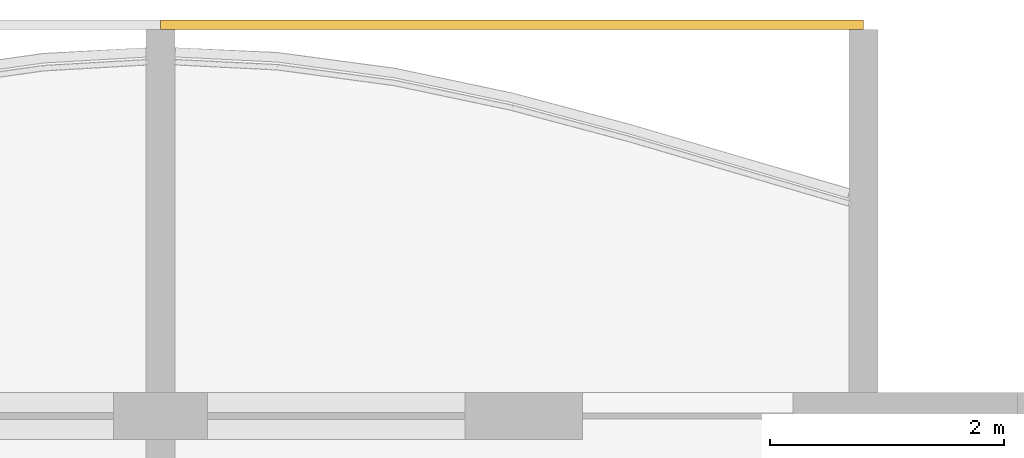
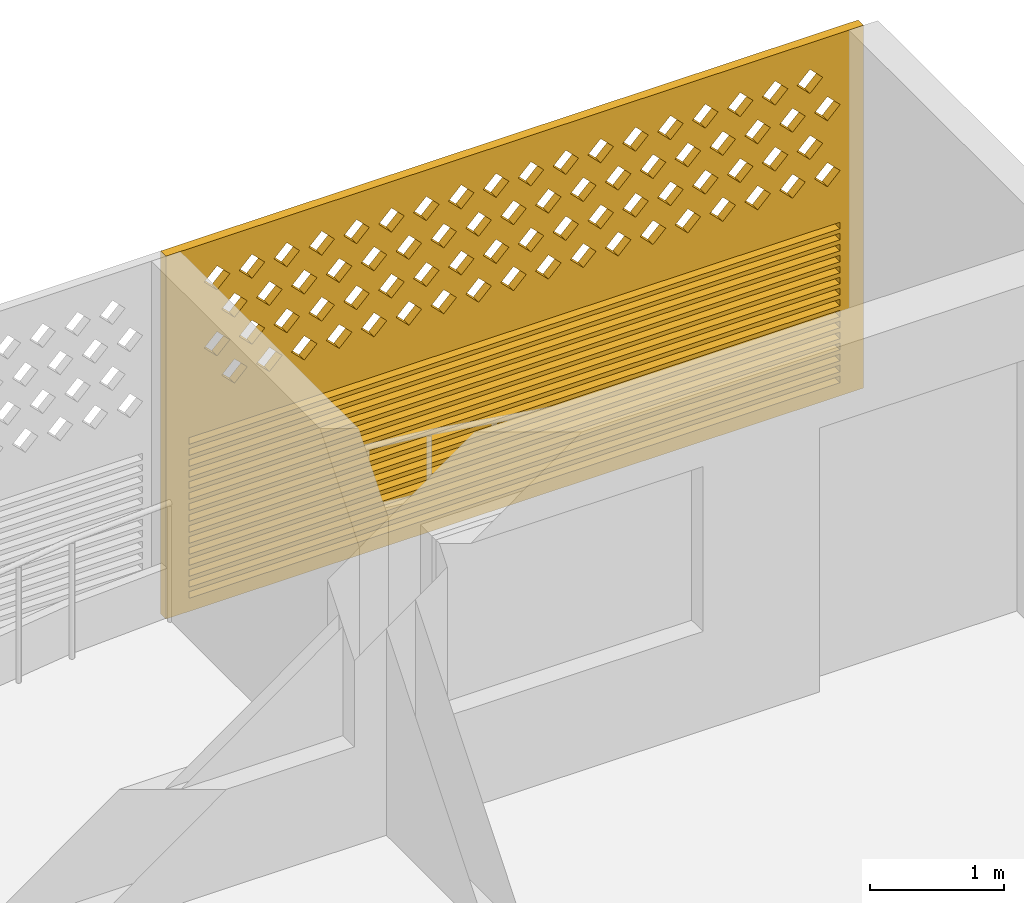
# One storey, part 28 of 28: 1 covering.
"""IFC4 building model written with IfcOpenShell, lengths in metres."""

from ifc_helpers import new_model, si_unit, direction, frame, origin, place, context, subcontext, project, spatial, polyline, outline, extrude, source, transform, mapped, material, material_profile, profile_set, type_object, element, save


model = new_model("IFC4")

# Units and contexts
model_context = context("Model", 3, precision=1e-05, world=origin(), true_north=direction((0.0, 1.0)))
body_context = subcontext(model_context, "Body", "Model", "MODEL_VIEW")
ifc_project = project(units=[si_unit("LENGTHUNIT", "METRE"), si_unit("AREAUNIT", "SQUARE_METRE"), si_unit("VOLUMEUNIT", "CUBIC_METRE"), si_unit("PLANEANGLEUNIT", "RADIAN"), si_unit("MASSUNIT", "GRAM", prefix="KILO")], contexts=[model_context])

# Site, building, storey
site_placement = place(None, origin())
site = spatial("IfcSite", under=ifc_project, at=site_placement, CompositionType="ELEMENT")
building_placement = place(site_placement, origin())
building = spatial("IfcBuilding", under=site, at=building_placement, Name="Poui Terraces", CompositionType="ELEMENT")
storey_placement = place(building_placement, frame((0.0, 0.0, 185.10009765625)))
storey = spatial("IfcBuildingStorey", under=building, at=storey_placement, Name="L51", CompositionType="ELEMENT", Elevation=185.10009765625)

# Covering
ifc_material = material(Name="Terracotta screen", Category="masonry")
ifc_material_profile = material_profile(ifc_material, outline(polyline([(-3.0, -1.64990234375), (3.0, -1.64990234375), (3.0, 1.64990234375), (-3.0, 1.64990234375), (-3.0, -1.64990234375)]), holes=[polyline([(-2.800048828125, 0.39990234375), (-2.68994140625, 0.2900390625), (-2.580078125, 0.39990234375), (-2.68994140625, 0.510009765625), (-2.800048828125, 0.39990234375)]), polyline([(-2.5, 0.39990234375), (-2.389892578125, 0.2900390625), (-2.280029296875, 0.39990234375), (-2.389892578125, 0.510009765625), (-2.5, 0.39990234375)]), polyline([(-2.199951171875, 0.39990234375), (-2.090087890625, 0.2900390625), (-1.97998046875, 0.39990234375), (-2.090087890625, 0.510009765625), (-2.199951171875, 0.39990234375)]), polyline([(-1.89990234375, 0.39990234375), (-1.7900390625, 0.2900390625), (-1.679931640625, 0.39990234375), (-1.7900390625, 0.510009765625), (-1.89990234375, 0.39990234375)]), polyline([(-1.60009765625, 0.39990234375), (-1.489990234375, 0.2900390625), (-1.3798828125, 0.39990234375), (-1.489990234375, 0.510009765625), (-1.60009765625, 0.39990234375)]), polyline([(-1.300048828125, 0.39990234375), (-1.18994140625, 0.2900390625), (-1.080078125, 0.39990234375), (-1.18994140625, 0.510009765625), (-1.300048828125, 0.39990234375)]), polyline([(-1.0, 0.39990234375), (-0.889892578125, 0.2900390625), (-0.780029296875, 0.39990234375), (-0.889892578125, 0.510009765625), (-1.0, 0.39990234375)]), polyline([(-0.699951171875, 0.39990234375), (-0.590087890625, 0.2900390625), (-0.47998046875, 0.39990234375), (-0.590087890625, 0.510009765625), (-0.699951171875, 0.39990234375)]), polyline([(-0.39990234375, 0.39990234375), (-0.2900390625, 0.2900390625), (-0.179931640625, 0.39990234375), (-0.2900390625, 0.510009765625), (-0.39990234375, 0.39990234375)]), polyline([(-0.10009765625, 0.39990234375), (0.010009765625, 0.2900390625), (0.1201171875, 0.39990234375), (0.010009765625, 0.510009765625), (-0.10009765625, 0.39990234375)]), polyline([(0.199951171875, 0.39990234375), (0.31005859375, 0.2900390625), (0.419921875, 0.39990234375), (0.31005859375, 0.510009765625), (0.199951171875, 0.39990234375)]), polyline([(0.5, 0.39990234375), (0.610107421875, 0.2900390625), (0.719970703125, 0.39990234375), (0.610107421875, 0.510009765625), (0.5, 0.39990234375)]), polyline([(0.800048828125, 0.39990234375), (0.909912109375, 0.2900390625), (1.02001953125, 0.39990234375), (0.909912109375, 0.510009765625), (0.800048828125, 0.39990234375)]), polyline([(1.10009765625, 0.39990234375), (1.2099609375, 0.2900390625), (1.320068359375, 0.39990234375), (1.2099609375, 0.510009765625), (1.10009765625, 0.39990234375)]), polyline([(1.39990234375, 0.39990234375), (1.510009765625, 0.2900390625), (1.6201171875, 0.39990234375), (1.510009765625, 0.510009765625), (1.39990234375, 0.39990234375)]), polyline([(1.699951171875, 0.39990234375), (1.81005859375, 0.2900390625), (1.919921875, 0.39990234375), (1.81005859375, 0.510009765625), (1.699951171875, 0.39990234375)]), polyline([(2.0, 0.39990234375), (2.110107421875, 0.2900390625), (2.219970703125, 0.39990234375), (2.110107421875, 0.510009765625), (2.0, 0.39990234375)]), polyline([(2.300048828125, 0.39990234375), (2.409912109375, 0.2900390625), (2.52001953125, 0.39990234375), (2.409912109375, 0.510009765625), (2.300048828125, 0.39990234375)]), polyline([(-2.64990234375, 0.699951171875), (-2.5400390625, 0.590087890625), (-2.429931640625, 0.699951171875), (-2.5400390625, 0.81005859375), (-2.64990234375, 0.699951171875)]), polyline([(-2.35009765625, 0.699951171875), (-2.239990234375, 0.590087890625), (-2.1298828125, 0.699951171875), (-2.239990234375, 0.81005859375), (-2.35009765625, 0.699951171875)]), polyline([(-2.050048828125, 0.699951171875), (-1.93994140625, 0.590087890625), (-1.830078125, 0.699951171875), (-1.93994140625, 0.81005859375), (-2.050048828125, 0.699951171875)]), polyline([(-1.75, 0.699951171875), (-1.639892578125, 0.590087890625), (-1.530029296875, 0.699951171875), (-1.639892578125, 0.81005859375), (-1.75, 0.699951171875)]), polyline([(-1.449951171875, 0.699951171875), (-1.340087890625, 0.590087890625), (-1.22998046875, 0.699951171875), (-1.340087890625, 0.81005859375), (-1.449951171875, 0.699951171875)]), polyline([(-1.14990234375, 0.699951171875), (-1.0400390625, 0.590087890625), (-0.929931640625, 0.699951171875), (-1.0400390625, 0.81005859375), (-1.14990234375, 0.699951171875)]), polyline([(-0.85009765625, 0.699951171875), (-0.739990234375, 0.590087890625), (-0.6298828125, 0.699951171875), (-0.739990234375, 0.81005859375), (-0.85009765625, 0.699951171875)]), polyline([(-0.550048828125, 0.699951171875), (-0.43994140625, 0.590087890625), (-0.330078125, 0.699951171875), (-0.43994140625, 0.81005859375), (-0.550048828125, 0.699951171875)]), polyline([(-0.25, 0.699951171875), (-0.139892578125, 0.590087890625), (-0.030029296875, 0.699951171875), (-0.139892578125, 0.81005859375), (-0.25, 0.699951171875)]), polyline([(0.050048828125, 0.699951171875), (0.159912109375, 0.590087890625), (0.27001953125, 0.699951171875), (0.159912109375, 0.81005859375), (0.050048828125, 0.699951171875)]), polyline([(0.35009765625, 0.699951171875), (0.4599609375, 0.590087890625), (0.570068359375, 0.699951171875), (0.4599609375, 0.81005859375), (0.35009765625, 0.699951171875)]), polyline([(0.64990234375, 0.699951171875), (0.760009765625, 0.590087890625), (0.8701171875, 0.699951171875), (0.760009765625, 0.81005859375), (0.64990234375, 0.699951171875)]), polyline([(0.949951171875, 0.699951171875), (1.06005859375, 0.590087890625), (1.169921875, 0.699951171875), (1.06005859375, 0.81005859375), (0.949951171875, 0.699951171875)]), polyline([(1.25, 0.699951171875), (1.360107421875, 0.590087890625), (1.469970703125, 0.699951171875), (1.360107421875, 0.81005859375), (1.25, 0.699951171875)]), polyline([(1.550048828125, 0.699951171875), (1.659912109375, 0.590087890625), (1.77001953125, 0.699951171875), (1.659912109375, 0.81005859375), (1.550048828125, 0.699951171875)]), polyline([(1.85009765625, 0.699951171875), (1.9599609375, 0.590087890625), (2.070068359375, 0.699951171875), (1.9599609375, 0.81005859375), (1.85009765625, 0.699951171875)]), polyline([(2.14990234375, 0.699951171875), (2.260009765625, 0.590087890625), (2.3701171875, 0.699951171875), (2.260009765625, 0.81005859375), (2.14990234375, 0.699951171875)]), polyline([(2.449951171875, 0.699951171875), (2.56005859375, 0.590087890625), (2.669921875, 0.699951171875), (2.56005859375, 0.81005859375), (2.449951171875, 0.699951171875)]), polyline([(-2.800048828125, 1.0), (-2.68994140625, 0.889892578125), (-2.580078125, 1.0), (-2.68994140625, 1.110107421875), (-2.800048828125, 1.0)]), polyline([(-2.5, 1.0), (-2.389892578125, 0.889892578125), (-2.280029296875, 1.0), (-2.389892578125, 1.110107421875), (-2.5, 1.0)]), polyline([(-2.199951171875, 1.0), (-2.090087890625, 0.889892578125), (-1.97998046875, 1.0), (-2.090087890625, 1.110107421875), (-2.199951171875, 1.0)]), polyline([(-1.89990234375, 1.0), (-1.7900390625, 0.889892578125), (-1.679931640625, 1.0), (-1.7900390625, 1.110107421875), (-1.89990234375, 1.0)]), polyline([(-1.60009765625, 1.0), (-1.489990234375, 0.889892578125), (-1.3798828125, 1.0), (-1.489990234375, 1.110107421875), (-1.60009765625, 1.0)]), polyline([(-1.300048828125, 1.0), (-1.18994140625, 0.889892578125), (-1.080078125, 1.0), (-1.18994140625, 1.110107421875), (-1.300048828125, 1.0)]), polyline([(-1.0, 1.0), (-0.889892578125, 0.889892578125), (-0.780029296875, 1.0), (-0.889892578125, 1.110107421875), (-1.0, 1.0)]), polyline([(-0.699951171875, 1.0), (-0.590087890625, 0.889892578125), (-0.47998046875, 1.0), (-0.590087890625, 1.110107421875), (-0.699951171875, 1.0)]), polyline([(-0.39990234375, 1.0), (-0.2900390625, 0.889892578125), (-0.179931640625, 1.0), (-0.2900390625, 1.110107421875), (-0.39990234375, 1.0)]), polyline([(-0.10009765625, 1.0), (0.010009765625, 0.889892578125), (0.1201171875, 1.0), (0.010009765625, 1.110107421875), (-0.10009765625, 1.0)]), polyline([(0.199951171875, 1.0), (0.31005859375, 0.889892578125), (0.419921875, 1.0), (0.31005859375, 1.110107421875), (0.199951171875, 1.0)]), polyline([(0.5, 1.0), (0.610107421875, 0.889892578125), (0.719970703125, 1.0), (0.610107421875, 1.110107421875), (0.5, 1.0)]), polyline([(0.800048828125, 1.0), (0.909912109375, 0.889892578125), (1.02001953125, 1.0), (0.909912109375, 1.110107421875), (0.800048828125, 1.0)]), polyline([(1.10009765625, 1.0), (1.2099609375, 0.889892578125), (1.320068359375, 1.0), (1.2099609375, 1.110107421875), (1.10009765625, 1.0)]), polyline([(1.39990234375, 1.0), (1.510009765625, 0.889892578125), (1.6201171875, 1.0), (1.510009765625, 1.110107421875), (1.39990234375, 1.0)]), polyline([(1.699951171875, 1.0), (1.81005859375, 0.889892578125), (1.919921875, 1.0), (1.81005859375, 1.110107421875), (1.699951171875, 1.0)]), polyline([(2.0, 1.0), (2.110107421875, 0.889892578125), (2.219970703125, 1.0), (2.110107421875, 1.110107421875), (2.0, 1.0)]), polyline([(2.300048828125, 1.0), (2.409912109375, 0.889892578125), (2.52001953125, 1.0), (2.409912109375, 1.110107421875), (2.300048828125, 1.0)]), polyline([(-2.64990234375, 1.300048828125), (-2.5400390625, 1.18994140625), (-2.429931640625, 1.300048828125), (-2.5400390625, 1.409912109375), (-2.64990234375, 1.300048828125)]), polyline([(-2.35009765625, 1.300048828125), (-2.239990234375, 1.18994140625), (-2.1298828125, 1.300048828125), (-2.239990234375, 1.409912109375), (-2.35009765625, 1.300048828125)]), polyline([(-2.050048828125, 1.300048828125), (-1.93994140625, 1.18994140625), (-1.830078125, 1.300048828125), (-1.93994140625, 1.409912109375), (-2.050048828125, 1.300048828125)]), polyline([(-1.75, 1.300048828125), (-1.639892578125, 1.18994140625), (-1.530029296875, 1.300048828125), (-1.639892578125, 1.409912109375), (-1.75, 1.300048828125)]), polyline([(-1.449951171875, 1.300048828125), (-1.340087890625, 1.18994140625), (-1.22998046875, 1.300048828125), (-1.340087890625, 1.409912109375), (-1.449951171875, 1.300048828125)]), polyline([(-1.14990234375, 1.300048828125), (-1.0400390625, 1.18994140625), (-0.929931640625, 1.300048828125), (-1.0400390625, 1.409912109375), (-1.14990234375, 1.300048828125)]), polyline([(-0.85009765625, 1.300048828125), (-0.739990234375, 1.18994140625), (-0.6298828125, 1.300048828125), (-0.739990234375, 1.409912109375), (-0.85009765625, 1.300048828125)]), polyline([(-0.550048828125, 1.300048828125), (-0.43994140625, 1.18994140625), (-0.330078125, 1.300048828125), (-0.43994140625, 1.409912109375), (-0.550048828125, 1.300048828125)]), polyline([(-0.25, 1.300048828125), (-0.139892578125, 1.18994140625), (-0.030029296875, 1.300048828125), (-0.139892578125, 1.409912109375), (-0.25, 1.300048828125)]), polyline([(0.050048828125, 1.300048828125), (0.159912109375, 1.18994140625), (0.27001953125, 1.300048828125), (0.159912109375, 1.409912109375), (0.050048828125, 1.300048828125)]), polyline([(0.35009765625, 1.300048828125), (0.4599609375, 1.18994140625), (0.570068359375, 1.300048828125), (0.4599609375, 1.409912109375), (0.35009765625, 1.300048828125)]), polyline([(0.64990234375, 1.300048828125), (0.760009765625, 1.18994140625), (0.8701171875, 1.300048828125), (0.760009765625, 1.409912109375), (0.64990234375, 1.300048828125)]), polyline([(0.949951171875, 1.300048828125), (1.06005859375, 1.18994140625), (1.169921875, 1.300048828125), (1.06005859375, 1.409912109375), (0.949951171875, 1.300048828125)]), polyline([(1.25, 1.300048828125), (1.360107421875, 1.18994140625), (1.469970703125, 1.300048828125), (1.360107421875, 1.409912109375), (1.25, 1.300048828125)]), polyline([(1.550048828125, 1.300048828125), (1.659912109375, 1.18994140625), (1.77001953125, 1.300048828125), (1.659912109375, 1.409912109375), (1.550048828125, 1.300048828125)]), polyline([(1.85009765625, 1.300048828125), (1.9599609375, 1.18994140625), (2.070068359375, 1.300048828125), (1.9599609375, 1.409912109375), (1.85009765625, 1.300048828125)]), polyline([(2.14990234375, 1.300048828125), (2.260009765625, 1.18994140625), (2.3701171875, 1.300048828125), (2.260009765625, 1.409912109375), (2.14990234375, 1.300048828125)]), polyline([(2.449951171875, 1.300048828125), (2.56005859375, 1.18994140625), (2.669921875, 1.300048828125), (2.56005859375, 1.409912109375), (2.449951171875, 1.300048828125)]), polyline([(-2.800048828125, -1.530029296875), (2.800048828125, -1.530029296875), (2.800048828125, -1.469970703125), (-2.800048828125, -1.469970703125), (-2.800048828125, -1.530029296875)]), polyline([(-2.800048828125, -1.429931640625), (2.800048828125, -1.429931640625), (2.800048828125, -1.3701171875), (-2.800048828125, -1.3701171875), (-2.800048828125, -1.429931640625)]), polyline([(-2.800048828125, -1.330078125), (2.800048828125, -1.330078125), (2.800048828125, -1.27001953125), (-2.800048828125, -1.27001953125), (-2.800048828125, -1.330078125)]), polyline([(-2.800048828125, -1.22998046875), (2.800048828125, -1.22998046875), (2.800048828125, -1.169921875), (-2.800048828125, -1.169921875), (-2.800048828125, -1.22998046875)]), polyline([(-2.800048828125, -1.1298828125), (2.800048828125, -1.1298828125), (2.800048828125, -1.070068359375), (-2.800048828125, -1.070068359375), (-2.800048828125, -1.1298828125)]), polyline([(-2.800048828125, -1.030029296875), (2.800048828125, -1.030029296875), (2.800048828125, -0.969970703125), (-2.800048828125, -0.969970703125), (-2.800048828125, -1.030029296875)]), polyline([(-2.800048828125, -0.929931640625), (2.800048828125, -0.929931640625), (2.800048828125, -0.8701171875), (-2.800048828125, -0.8701171875), (-2.800048828125, -0.929931640625)]), polyline([(-2.800048828125, -0.830078125), (2.800048828125, -0.830078125), (2.800048828125, -0.77001953125), (-2.800048828125, -0.77001953125), (-2.800048828125, -0.830078125)]), polyline([(-2.800048828125, -0.72998046875), (2.800048828125, -0.72998046875), (2.800048828125, -0.669921875), (-2.800048828125, -0.669921875), (-2.800048828125, -0.72998046875)]), polyline([(-2.800048828125, -0.6298828125), (2.800048828125, -0.6298828125), (2.800048828125, -0.570068359375), (-2.800048828125, -0.570068359375), (-2.800048828125, -0.6298828125)]), polyline([(-2.800048828125, -0.530029296875), (2.800048828125, -0.530029296875), (2.800048828125, -0.469970703125), (-2.800048828125, -0.469970703125), (-2.800048828125, -0.530029296875)]), polyline([(-2.800048828125, -0.429931640625), (2.800048828125, -0.429931640625), (2.800048828125, -0.3701171875), (-2.800048828125, -0.3701171875), (-2.800048828125, -0.429931640625)]), polyline([(-2.800048828125, -0.330078125), (2.800048828125, -0.330078125), (2.800048828125, -0.27001953125), (-2.800048828125, -0.27001953125), (-2.800048828125, -0.330078125)]), polyline([(-2.800048828125, -0.22998046875), (2.800048828125, -0.22998046875), (2.800048828125, -0.169921875), (-2.800048828125, -0.169921875), (-2.800048828125, -0.22998046875)]), polyline([(-2.800048828125, -0.1298828125), (2.800048828125, -0.1298828125), (2.800048828125, -0.070068359375), (-2.800048828125, -0.070068359375), (-2.800048828125, -0.1298828125)])]), Name="TERRACOTTA SCREEN AND JALOUSIE LOUVRE 6000X3300")
ifc_profile_set = profile_set([ifc_material_profile], Name="Terracotta screen")
covering_type = type_object("IfcCoveringType", Name="TERRACOTTA SCREEN AND JALOUSIE LOUVRE 6000X3300", PredefinedType="CLADDING", material=ifc_profile_set)
shared_shape = source(origin(), body_context, "Body", "SweptSolid", [
    extrude(outline(polyline([(-3.0, -1.64990234375), (3.0, -1.64990234375), (3.0, 1.64990234375), (-3.0, 1.64990234375), (-3.0, -1.64990234375)]), holes=[polyline([(-2.800048828125, 0.39990234375), (-2.68994140625, 0.2900390625), (-2.580078125, 0.39990234375), (-2.68994140625, 0.510009765625), (-2.800048828125, 0.39990234375)]), polyline([(-2.5, 0.39990234375), (-2.389892578125, 0.2900390625), (-2.280029296875, 0.39990234375), (-2.389892578125, 0.510009765625), (-2.5, 0.39990234375)]), polyline([(-2.199951171875, 0.39990234375), (-2.090087890625, 0.2900390625), (-1.97998046875, 0.39990234375), (-2.090087890625, 0.510009765625), (-2.199951171875, 0.39990234375)]), polyline([(-1.89990234375, 0.39990234375), (-1.7900390625, 0.2900390625), (-1.679931640625, 0.39990234375), (-1.7900390625, 0.510009765625), (-1.89990234375, 0.39990234375)]), polyline([(-1.60009765625, 0.39990234375), (-1.489990234375, 0.2900390625), (-1.3798828125, 0.39990234375), (-1.489990234375, 0.510009765625), (-1.60009765625, 0.39990234375)]), polyline([(-1.300048828125, 0.39990234375), (-1.18994140625, 0.2900390625), (-1.080078125, 0.39990234375), (-1.18994140625, 0.510009765625), (-1.300048828125, 0.39990234375)]), polyline([(-1.0, 0.39990234375), (-0.889892578125, 0.2900390625), (-0.780029296875, 0.39990234375), (-0.889892578125, 0.510009765625), (-1.0, 0.39990234375)]), polyline([(-0.699951171875, 0.39990234375), (-0.590087890625, 0.2900390625), (-0.47998046875, 0.39990234375), (-0.590087890625, 0.510009765625), (-0.699951171875, 0.39990234375)]), polyline([(-0.39990234375, 0.39990234375), (-0.2900390625, 0.2900390625), (-0.179931640625, 0.39990234375), (-0.2900390625, 0.510009765625), (-0.39990234375, 0.39990234375)]), polyline([(-0.10009765625, 0.39990234375), (0.010009765625, 0.2900390625), (0.1201171875, 0.39990234375), (0.010009765625, 0.510009765625), (-0.10009765625, 0.39990234375)]), polyline([(0.199951171875, 0.39990234375), (0.31005859375, 0.2900390625), (0.419921875, 0.39990234375), (0.31005859375, 0.510009765625), (0.199951171875, 0.39990234375)]), polyline([(0.5, 0.39990234375), (0.610107421875, 0.2900390625), (0.719970703125, 0.39990234375), (0.610107421875, 0.510009765625), (0.5, 0.39990234375)]), polyline([(0.800048828125, 0.39990234375), (0.909912109375, 0.2900390625), (1.02001953125, 0.39990234375), (0.909912109375, 0.510009765625), (0.800048828125, 0.39990234375)]), polyline([(1.10009765625, 0.39990234375), (1.2099609375, 0.2900390625), (1.320068359375, 0.39990234375), (1.2099609375, 0.510009765625), (1.10009765625, 0.39990234375)]), polyline([(1.39990234375, 0.39990234375), (1.510009765625, 0.2900390625), (1.6201171875, 0.39990234375), (1.510009765625, 0.510009765625), (1.39990234375, 0.39990234375)]), polyline([(1.699951171875, 0.39990234375), (1.81005859375, 0.2900390625), (1.919921875, 0.39990234375), (1.81005859375, 0.510009765625), (1.699951171875, 0.39990234375)]), polyline([(2.0, 0.39990234375), (2.110107421875, 0.2900390625), (2.219970703125, 0.39990234375), (2.110107421875, 0.510009765625), (2.0, 0.39990234375)]), polyline([(2.300048828125, 0.39990234375), (2.409912109375, 0.2900390625), (2.52001953125, 0.39990234375), (2.409912109375, 0.510009765625), (2.300048828125, 0.39990234375)]), polyline([(-2.64990234375, 0.699951171875), (-2.5400390625, 0.590087890625), (-2.429931640625, 0.699951171875), (-2.5400390625, 0.81005859375), (-2.64990234375, 0.699951171875)]), polyline([(-2.35009765625, 0.699951171875), (-2.239990234375, 0.590087890625), (-2.1298828125, 0.699951171875), (-2.239990234375, 0.81005859375), (-2.35009765625, 0.699951171875)]), polyline([(-2.050048828125, 0.699951171875), (-1.93994140625, 0.590087890625), (-1.830078125, 0.699951171875), (-1.93994140625, 0.81005859375), (-2.050048828125, 0.699951171875)]), polyline([(-1.75, 0.699951171875), (-1.639892578125, 0.590087890625), (-1.530029296875, 0.699951171875), (-1.639892578125, 0.81005859375), (-1.75, 0.699951171875)]), polyline([(-1.449951171875, 0.699951171875), (-1.340087890625, 0.590087890625), (-1.22998046875, 0.699951171875), (-1.340087890625, 0.81005859375), (-1.449951171875, 0.699951171875)]), polyline([(-1.14990234375, 0.699951171875), (-1.0400390625, 0.590087890625), (-0.929931640625, 0.699951171875), (-1.0400390625, 0.81005859375), (-1.14990234375, 0.699951171875)]), polyline([(-0.85009765625, 0.699951171875), (-0.739990234375, 0.590087890625), (-0.6298828125, 0.699951171875), (-0.739990234375, 0.81005859375), (-0.85009765625, 0.699951171875)]), polyline([(-0.550048828125, 0.699951171875), (-0.43994140625, 0.590087890625), (-0.330078125, 0.699951171875), (-0.43994140625, 0.81005859375), (-0.550048828125, 0.699951171875)]), polyline([(-0.25, 0.699951171875), (-0.139892578125, 0.590087890625), (-0.030029296875, 0.699951171875), (-0.139892578125, 0.81005859375), (-0.25, 0.699951171875)]), polyline([(0.050048828125, 0.699951171875), (0.159912109375, 0.590087890625), (0.27001953125, 0.699951171875), (0.159912109375, 0.81005859375), (0.050048828125, 0.699951171875)]), polyline([(0.35009765625, 0.699951171875), (0.4599609375, 0.590087890625), (0.570068359375, 0.699951171875), (0.4599609375, 0.81005859375), (0.35009765625, 0.699951171875)]), polyline([(0.64990234375, 0.699951171875), (0.760009765625, 0.590087890625), (0.8701171875, 0.699951171875), (0.760009765625, 0.81005859375), (0.64990234375, 0.699951171875)]), polyline([(0.949951171875, 0.699951171875), (1.06005859375, 0.590087890625), (1.169921875, 0.699951171875), (1.06005859375, 0.81005859375), (0.949951171875, 0.699951171875)]), polyline([(1.25, 0.699951171875), (1.360107421875, 0.590087890625), (1.469970703125, 0.699951171875), (1.360107421875, 0.81005859375), (1.25, 0.699951171875)]), polyline([(1.550048828125, 0.699951171875), (1.659912109375, 0.590087890625), (1.77001953125, 0.699951171875), (1.659912109375, 0.81005859375), (1.550048828125, 0.699951171875)]), polyline([(1.85009765625, 0.699951171875), (1.9599609375, 0.590087890625), (2.070068359375, 0.699951171875), (1.9599609375, 0.81005859375), (1.85009765625, 0.699951171875)]), polyline([(2.14990234375, 0.699951171875), (2.260009765625, 0.590087890625), (2.3701171875, 0.699951171875), (2.260009765625, 0.81005859375), (2.14990234375, 0.699951171875)]), polyline([(2.449951171875, 0.699951171875), (2.56005859375, 0.590087890625), (2.669921875, 0.699951171875), (2.56005859375, 0.81005859375), (2.449951171875, 0.699951171875)]), polyline([(-2.800048828125, 1.0), (-2.68994140625, 0.889892578125), (-2.580078125, 1.0), (-2.68994140625, 1.110107421875), (-2.800048828125, 1.0)]), polyline([(-2.5, 1.0), (-2.389892578125, 0.889892578125), (-2.280029296875, 1.0), (-2.389892578125, 1.110107421875), (-2.5, 1.0)]), polyline([(-2.199951171875, 1.0), (-2.090087890625, 0.889892578125), (-1.97998046875, 1.0), (-2.090087890625, 1.110107421875), (-2.199951171875, 1.0)]), polyline([(-1.89990234375, 1.0), (-1.7900390625, 0.889892578125), (-1.679931640625, 1.0), (-1.7900390625, 1.110107421875), (-1.89990234375, 1.0)]), polyline([(-1.60009765625, 1.0), (-1.489990234375, 0.889892578125), (-1.3798828125, 1.0), (-1.489990234375, 1.110107421875), (-1.60009765625, 1.0)]), polyline([(-1.300048828125, 1.0), (-1.18994140625, 0.889892578125), (-1.080078125, 1.0), (-1.18994140625, 1.110107421875), (-1.300048828125, 1.0)]), polyline([(-1.0, 1.0), (-0.889892578125, 0.889892578125), (-0.780029296875, 1.0), (-0.889892578125, 1.110107421875), (-1.0, 1.0)]), polyline([(-0.699951171875, 1.0), (-0.590087890625, 0.889892578125), (-0.47998046875, 1.0), (-0.590087890625, 1.110107421875), (-0.699951171875, 1.0)]), polyline([(-0.39990234375, 1.0), (-0.2900390625, 0.889892578125), (-0.179931640625, 1.0), (-0.2900390625, 1.110107421875), (-0.39990234375, 1.0)]), polyline([(-0.10009765625, 1.0), (0.010009765625, 0.889892578125), (0.1201171875, 1.0), (0.010009765625, 1.110107421875), (-0.10009765625, 1.0)]), polyline([(0.199951171875, 1.0), (0.31005859375, 0.889892578125), (0.419921875, 1.0), (0.31005859375, 1.110107421875), (0.199951171875, 1.0)]), polyline([(0.5, 1.0), (0.610107421875, 0.889892578125), (0.719970703125, 1.0), (0.610107421875, 1.110107421875), (0.5, 1.0)]), polyline([(0.800048828125, 1.0), (0.909912109375, 0.889892578125), (1.02001953125, 1.0), (0.909912109375, 1.110107421875), (0.800048828125, 1.0)]), polyline([(1.10009765625, 1.0), (1.2099609375, 0.889892578125), (1.320068359375, 1.0), (1.2099609375, 1.110107421875), (1.10009765625, 1.0)]), polyline([(1.39990234375, 1.0), (1.510009765625, 0.889892578125), (1.6201171875, 1.0), (1.510009765625, 1.110107421875), (1.39990234375, 1.0)]), polyline([(1.699951171875, 1.0), (1.81005859375, 0.889892578125), (1.919921875, 1.0), (1.81005859375, 1.110107421875), (1.699951171875, 1.0)]), polyline([(2.0, 1.0), (2.110107421875, 0.889892578125), (2.219970703125, 1.0), (2.110107421875, 1.110107421875), (2.0, 1.0)]), polyline([(2.300048828125, 1.0), (2.409912109375, 0.889892578125), (2.52001953125, 1.0), (2.409912109375, 1.110107421875), (2.300048828125, 1.0)]), polyline([(-2.64990234375, 1.300048828125), (-2.5400390625, 1.18994140625), (-2.429931640625, 1.300048828125), (-2.5400390625, 1.409912109375), (-2.64990234375, 1.300048828125)]), polyline([(-2.35009765625, 1.300048828125), (-2.239990234375, 1.18994140625), (-2.1298828125, 1.300048828125), (-2.239990234375, 1.409912109375), (-2.35009765625, 1.300048828125)]), polyline([(-2.050048828125, 1.300048828125), (-1.93994140625, 1.18994140625), (-1.830078125, 1.300048828125), (-1.93994140625, 1.409912109375), (-2.050048828125, 1.300048828125)]), polyline([(-1.75, 1.300048828125), (-1.639892578125, 1.18994140625), (-1.530029296875, 1.300048828125), (-1.639892578125, 1.409912109375), (-1.75, 1.300048828125)]), polyline([(-1.449951171875, 1.300048828125), (-1.340087890625, 1.18994140625), (-1.22998046875, 1.300048828125), (-1.340087890625, 1.409912109375), (-1.449951171875, 1.300048828125)]), polyline([(-1.14990234375, 1.300048828125), (-1.0400390625, 1.18994140625), (-0.929931640625, 1.300048828125), (-1.0400390625, 1.409912109375), (-1.14990234375, 1.300048828125)]), polyline([(-0.85009765625, 1.300048828125), (-0.739990234375, 1.18994140625), (-0.6298828125, 1.300048828125), (-0.739990234375, 1.409912109375), (-0.85009765625, 1.300048828125)]), polyline([(-0.550048828125, 1.300048828125), (-0.43994140625, 1.18994140625), (-0.330078125, 1.300048828125), (-0.43994140625, 1.409912109375), (-0.550048828125, 1.300048828125)]), polyline([(-0.25, 1.300048828125), (-0.139892578125, 1.18994140625), (-0.030029296875, 1.300048828125), (-0.139892578125, 1.409912109375), (-0.25, 1.300048828125)]), polyline([(0.050048828125, 1.300048828125), (0.159912109375, 1.18994140625), (0.27001953125, 1.300048828125), (0.159912109375, 1.409912109375), (0.050048828125, 1.300048828125)]), polyline([(0.35009765625, 1.300048828125), (0.4599609375, 1.18994140625), (0.570068359375, 1.300048828125), (0.4599609375, 1.409912109375), (0.35009765625, 1.300048828125)]), polyline([(0.64990234375, 1.300048828125), (0.760009765625, 1.18994140625), (0.8701171875, 1.300048828125), (0.760009765625, 1.409912109375), (0.64990234375, 1.300048828125)]), polyline([(0.949951171875, 1.300048828125), (1.06005859375, 1.18994140625), (1.169921875, 1.300048828125), (1.06005859375, 1.409912109375), (0.949951171875, 1.300048828125)]), polyline([(1.25, 1.300048828125), (1.360107421875, 1.18994140625), (1.469970703125, 1.300048828125), (1.360107421875, 1.409912109375), (1.25, 1.300048828125)]), polyline([(1.550048828125, 1.300048828125), (1.659912109375, 1.18994140625), (1.77001953125, 1.300048828125), (1.659912109375, 1.409912109375), (1.550048828125, 1.300048828125)]), polyline([(1.85009765625, 1.300048828125), (1.9599609375, 1.18994140625), (2.070068359375, 1.300048828125), (1.9599609375, 1.409912109375), (1.85009765625, 1.300048828125)]), polyline([(2.14990234375, 1.300048828125), (2.260009765625, 1.18994140625), (2.3701171875, 1.300048828125), (2.260009765625, 1.409912109375), (2.14990234375, 1.300048828125)]), polyline([(2.449951171875, 1.300048828125), (2.56005859375, 1.18994140625), (2.669921875, 1.300048828125), (2.56005859375, 1.409912109375), (2.449951171875, 1.300048828125)]), polyline([(-2.800048828125, -1.530029296875), (2.800048828125, -1.530029296875), (2.800048828125, -1.469970703125), (-2.800048828125, -1.469970703125), (-2.800048828125, -1.530029296875)]), polyline([(-2.800048828125, -1.429931640625), (2.800048828125, -1.429931640625), (2.800048828125, -1.3701171875), (-2.800048828125, -1.3701171875), (-2.800048828125, -1.429931640625)]), polyline([(-2.800048828125, -1.330078125), (2.800048828125, -1.330078125), (2.800048828125, -1.27001953125), (-2.800048828125, -1.27001953125), (-2.800048828125, -1.330078125)]), polyline([(-2.800048828125, -1.22998046875), (2.800048828125, -1.22998046875), (2.800048828125, -1.169921875), (-2.800048828125, -1.169921875), (-2.800048828125, -1.22998046875)]), polyline([(-2.800048828125, -1.1298828125), (2.800048828125, -1.1298828125), (2.800048828125, -1.070068359375), (-2.800048828125, -1.070068359375), (-2.800048828125, -1.1298828125)]), polyline([(-2.800048828125, -1.030029296875), (2.800048828125, -1.030029296875), (2.800048828125, -0.969970703125), (-2.800048828125, -0.969970703125), (-2.800048828125, -1.030029296875)]), polyline([(-2.800048828125, -0.929931640625), (2.800048828125, -0.929931640625), (2.800048828125, -0.8701171875), (-2.800048828125, -0.8701171875), (-2.800048828125, -0.929931640625)]), polyline([(-2.800048828125, -0.830078125), (2.800048828125, -0.830078125), (2.800048828125, -0.77001953125), (-2.800048828125, -0.77001953125), (-2.800048828125, -0.830078125)]), polyline([(-2.800048828125, -0.72998046875), (2.800048828125, -0.72998046875), (2.800048828125, -0.669921875), (-2.800048828125, -0.669921875), (-2.800048828125, -0.72998046875)]), polyline([(-2.800048828125, -0.6298828125), (2.800048828125, -0.6298828125), (2.800048828125, -0.570068359375), (-2.800048828125, -0.570068359375), (-2.800048828125, -0.6298828125)]), polyline([(-2.800048828125, -0.530029296875), (2.800048828125, -0.530029296875), (2.800048828125, -0.469970703125), (-2.800048828125, -0.469970703125), (-2.800048828125, -0.530029296875)]), polyline([(-2.800048828125, -0.429931640625), (2.800048828125, -0.429931640625), (2.800048828125, -0.3701171875), (-2.800048828125, -0.3701171875), (-2.800048828125, -0.429931640625)]), polyline([(-2.800048828125, -0.330078125), (2.800048828125, -0.330078125), (2.800048828125, -0.27001953125), (-2.800048828125, -0.27001953125), (-2.800048828125, -0.330078125)]), polyline([(-2.800048828125, -0.22998046875), (2.800048828125, -0.22998046875), (2.800048828125, -0.169921875), (-2.800048828125, -0.169921875), (-2.800048828125, -0.22998046875)]), polyline([(-2.800048828125, -0.1298828125), (2.800048828125, -0.1298828125), (2.800048828125, -0.070068359375), (-2.800048828125, -0.070068359375), (-2.800048828125, -0.1298828125)])]), origin(), (0.0, 0.0, 1.0), 0.080078125),
])
covering_placement = place(storey_placement, frame((75.0, 44.5, 1.449951171875), z_axis=(0.0, 1.0, 0.0), x_axis=(-1.0, 0.0, 0.0)))
element("IfcCovering", 1, at=covering_placement, inside=storey, type_object=covering_type, Name="SOLAR SCREEN AND JALOUSIE LOUVRE", PredefinedType="CLADDING", context=body_context, shape_type="MappedRepresentation", body=[
    mapped(shared_shape, transform((0.0, 0.0, 0.0))),
])

save(model, "model.ifc")
